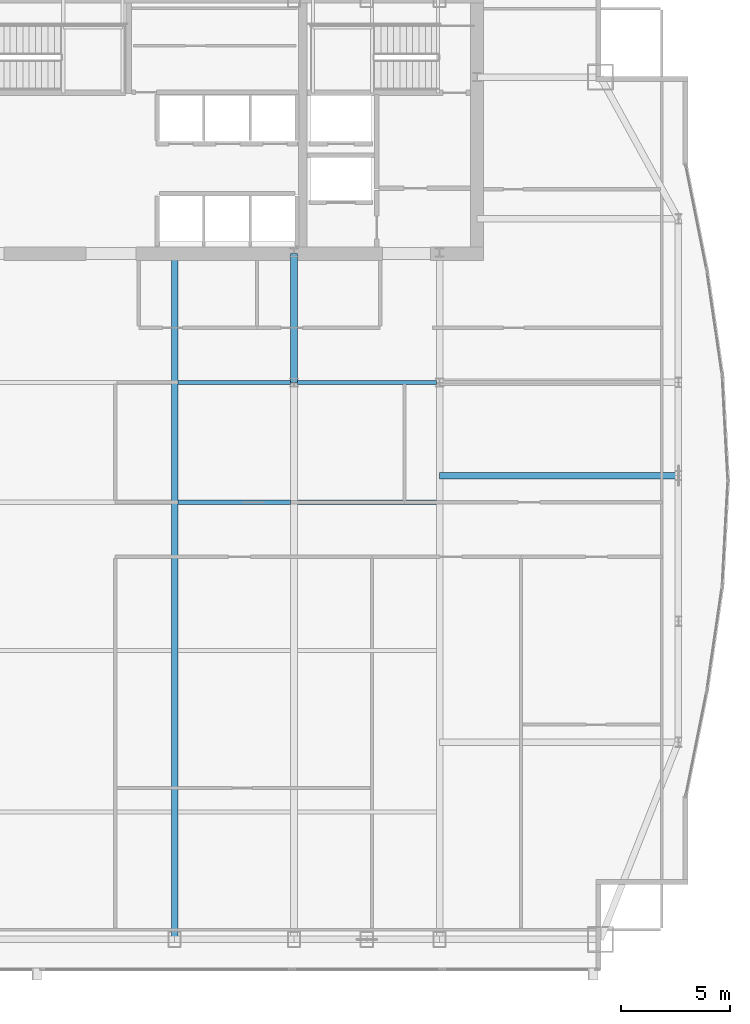
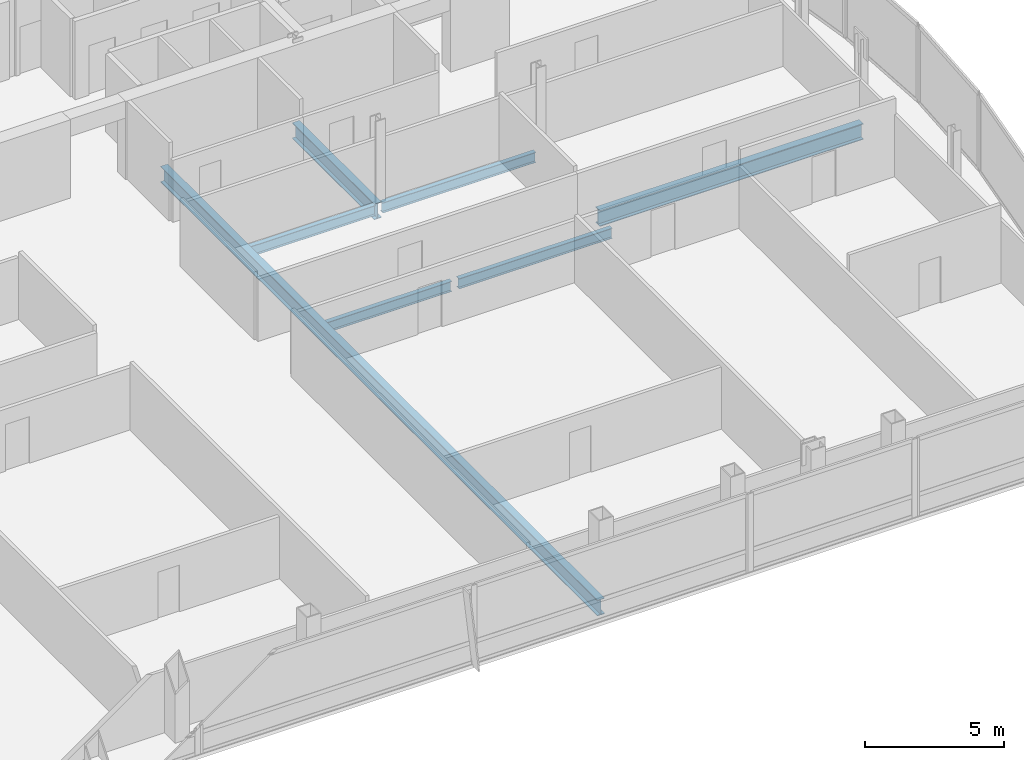
# One storey, part 17 of 30: 7 beams.
"""IFC4 building model written with IfcOpenShell, lengths in metres."""

import ifcopenshell
import ifcopenshell.guid

model = None  # the IFC model being written
_history = None  # IfcOwnerHistory: only IFC2X3 demands one
_inside = {}  # id of a spatial element -> (the spatial element, [elements in it])
_under = {}  # id of a project, library or spatial element -> (it, [spatial elements below it])
_declared = {}  # id of a project -> (the project, [libraries it declares])
_typed = {}  # id of a type object -> (the type object, [elements of that type])
_made_of = {}  # id of a material, layer set ... -> (it, [elements and type objects made of it])


def new_model(schema):
    """Start an empty IFC model of exactly this schema.

    Asked for "IFC4X3", IfcOpenShell would pick the latest addendum, in which some entities
    have other attributes; the version numbers below select the first issue.
    IFC2X3 requires an IfcOwnerHistory on every rooted entity: one is made here for all.
    """
    global model, _history
    if schema == "IFC4X3":
        model = ifcopenshell.file(schema_version=(4, 3, 0, 0))
    else:
        model = ifcopenshell.file(schema=schema)
    _inside.clear()
    _under.clear()
    _declared.clear()
    _typed.clear()
    _made_of.clear()
    _history = None
    if model.schema == "IFC2X3":
        org = make("IfcOrganization", Name="unknown")
        user = make(
            "IfcPersonAndOrganization",
            ThePerson=make("IfcPerson", FamilyName="unknown"),
            TheOrganization=org,
        )
        app = make(
            "IfcApplication",
            ApplicationDeveloper=org,
            Version="unknown",
            ApplicationFullName="unknown",
            ApplicationIdentifier="unknown",
        )
        _history = make(
            "IfcOwnerHistory",
            OwningUser=user,
            OwningApplication=app,
            ChangeAction="ADDED",
            CreationDate=0,
        )
    return model


def make(cls, **values):
    """One entity of the class cls with the attributes given. An attribute that is None is left unset."""
    return model.create_entity(
        cls, **{name: value for name, value in values.items() if value is not None}
    )


def rooted(cls, **values):
    """An entity with a GlobalId (a new one), such as an element, a storey or a relation."""
    return make(cls, GlobalId=ifcopenshell.guid.new(), OwnerHistory=_history, **values)


def si_unit(unit_type, name, prefix=None):
    """IfcSIUnit, for example si_unit("LENGTHUNIT", "METRE", prefix="MILLI")."""
    return make("IfcSIUnit", UnitType=unit_type, Prefix=prefix, Name=name)


def assignment(units):
    """IfcUnitAssignment: the units of a project."""
    return None if units is None else make("IfcUnitAssignment", Units=units)


def point(xyz):
    """IfcCartesianPoint."""
    return None if xyz is None else make("IfcCartesianPoint", Coordinates=xyz)


def direction(xyz):
    """IfcDirection."""
    return None if xyz is None else make("IfcDirection", DirectionRatios=xyz)


def frame(location, z_axis=None, x_axis=None):
    """IfcAxis2Placement3D, a coordinate frame: its origin and axes. An axis left out is left unset."""
    return make(
        "IfcAxis2Placement3D",
        Location=point(location),
        Axis=direction(z_axis),
        RefDirection=direction(x_axis),
    )


def frame_2d(location, x_axis=None):
    """IfcAxis2Placement2D, a coordinate frame in the plane: its origin and x axis."""
    return make(
        "IfcAxis2Placement2D", Location=point(location), RefDirection=direction(x_axis)
    )


def origin():
    """The frame at (0, 0, 0) with its axes left unset."""
    return frame((0.0, 0.0, 0.0))


def origin_2d():
    """The frame at (0, 0) in the plane with its x axis left unset."""
    return frame_2d((0.0, 0.0))


def place(relative_to, where):
    """IfcLocalPlacement: puts the frame where relative to a parent placement (None: the world)."""
    return make(
        "IfcLocalPlacement", PlacementRelTo=relative_to, RelativePlacement=where
    )


def context(
    kind, dimensions, precision=None, world=None, true_north=None, identifier=None
):
    """IfcGeometricRepresentationContext, for example the 3D "Model" context."""
    return make(
        "IfcGeometricRepresentationContext",
        ContextIdentifier=identifier,
        ContextType=kind,
        CoordinateSpaceDimension=dimensions,
        Precision=precision,
        WorldCoordinateSystem=world,
        TrueNorth=true_north,
    )


def subcontext(parent, identifier, kind, view, scale=None):
    """IfcGeometricRepresentationSubContext, for example "Body" below "Model"."""
    return make(
        "IfcGeometricRepresentationSubContext",
        ContextIdentifier=identifier,
        ContextType=kind,
        ParentContext=parent,
        TargetScale=scale,
        TargetView=view,
    )


def project(units=None, contexts=None):
    """IfcProject with its units and contexts."""
    return rooted(
        "IfcProject",
        Name="project",
        RepresentationContexts=contexts,
        UnitsInContext=assignment(units),
    )


def spatial(cls, under=None, at=None, **own):
    """A site, building, storey or space (cls), placed at a placement, below another one or the project."""
    s = rooted(cls, ObjectPlacement=at, **own)
    if under is not None:
        _under.setdefault(under.id(), (under, []))[1].append(s)
    return s


def profile(cls, at=None, kind="AREA", **sizes):
    """A parametric profile (cls). Its sizes go by their IFC names, for example OverallWidth=200.0."""
    return make(cls, ProfileType=kind, Position=at, **sizes)


def i_section(**sizes):
    """IfcIShapeProfileDef."""
    return profile("IfcIShapeProfileDef", **sizes)


def extrude(swept, where, along, depth):
    """IfcExtrudedAreaSolid: the profile swept, set in the frame where, extruded along a direction by depth."""
    return make(
        "IfcExtrudedAreaSolid",
        SweptArea=swept,
        Position=where,
        ExtrudedDirection=direction(along),
        Depth=depth,
    )


def shape(context_of_items, identifier, shape_type, items):
    """IfcShapeRepresentation: the items that make up one representation, for example the "Body"."""
    return make(
        "IfcShapeRepresentation",
        ContextOfItems=context_of_items,
        RepresentationIdentifier=identifier,
        RepresentationType=shape_type,
        Items=items,
    )


def material(Name=None, Category=None):
    """IfcMaterial."""
    return make("IfcMaterial", Name=Name, Category=Category)


def material_profile(
    of_material, cross_section, Name=None, Category=None, Priority=None
):
    """IfcMaterialProfile: a cross section and its material."""
    return make(
        "IfcMaterialProfile",
        Name=Name,
        Material=of_material,
        Profile=cross_section,
        Priority=Priority,
        Category=Category,
    )


def profile_set(profiles, Name=None, composite=None):
    """IfcMaterialProfileSet."""
    return make(
        "IfcMaterialProfileSet",
        Name=Name,
        MaterialProfiles=profiles,
        CompositeProfile=composite,
    )


def made_of(thing, what):
    """Note that an element or type object is made of a material, layer set ...; save() writes the relation."""
    if what is not None:
        _made_of.setdefault(what.id(), (what, []))[1].append(thing)
    return thing


def type_object(cls, material=None, **own):
    """A type object (cls), such as IfcWallType, which elements share."""
    return made_of(rooted(cls, **own), material)


def element(
    cls,
    number,
    at=None,
    inside=None,
    cuts=None,
    type_object=None,
    material=None,
    context=None,
    identifier="Body",
    shape_type=None,
    held_by="IfcProductDefinitionShape",
    body=None,
    shapes=None,
    **own,
):
    """One element of the class cls, such as IfcWall. Its Tag is "e" and its number.

    at: its placement. inside: the storey or other place that contains it. cuts: it is an
    opening in that element (IfcRelVoidsElement). A single representation is given by context,
    identifier, shape_type and body (its items); several are given by shapes. held_by: the class
    of the entity that holds the representations. save() writes the other relations.
    """
    e = rooted(cls, Tag="e%d" % number, ObjectPlacement=at, **own)
    if body is not None:
        shapes = [shape(context, identifier, shape_type, body)]
    if shapes is not None:
        e.Representation = make(held_by, Representations=shapes)
    if inside is not None:
        _inside.setdefault(inside.id(), (inside, []))[1].append(e)
    if cuts is not None:
        rooted(
            "IfcRelVoidsElement", RelatingBuildingElement=cuts, RelatedOpeningElement=e
        )
    if type_object is not None:
        _typed.setdefault(type_object.id(), (type_object, []))[1].append(e)
    return made_of(e, material)


def aggregate(whole, parts):
    """IfcRelAggregates: a whole, such as a stair, and the parts it consists of."""
    return rooted("IfcRelAggregates", RelatingObject=whole, RelatedObjects=parts)


def save(model, path):
    """Write the relations noted so far, then the file.

    IfcRelAggregates (storeys below a building ...), IfcRelContainedInSpatialStructure (elements
    in a storey), IfcRelDefinesByType, IfcRelAssociatesMaterial and IfcRelDeclares: one each for
    every whole, place, type object, material and project.
    """
    for whole, parts in _under.values():
        aggregate(whole, parts)
    for where, things in _inside.values():
        rooted(
            "IfcRelContainedInSpatialStructure",
            RelatedElements=things,
            RelatingStructure=where,
        )
    for kind, things in _typed.values():
        rooted("IfcRelDefinesByType", RelatedObjects=things, RelatingType=kind)
    for what, things in _made_of.values():
        rooted("IfcRelAssociatesMaterial", RelatedObjects=things, RelatingMaterial=what)
    for by, libraries in _declared.values():
        rooted("IfcRelDeclares", RelatingContext=by, RelatedDefinitions=libraries)
    model.write(path)


model = new_model("IFC4")

# Units and contexts
model_context = context("Model", 3, precision=1e-05, world=origin(), true_north=direction((0.0, 1.0)))
body_context = subcontext(model_context, "Body", "Model", "MODEL_VIEW")
ifc_project = project(units=[si_unit("LENGTHUNIT", "METRE"), si_unit("AREAUNIT", "SQUARE_METRE"), si_unit("VOLUMEUNIT", "CUBIC_METRE"), si_unit("PLANEANGLEUNIT", "RADIAN"), si_unit("MASSUNIT", "GRAM", prefix="KILO")], contexts=[model_context])

# Site, building, storey
site_placement = place(None, origin())
site = spatial("IfcSite", under=ifc_project, at=site_placement, CompositionType="ELEMENT")
building_placement = place(site_placement, origin())
building = spatial("IfcBuilding", under=site, at=building_placement, Name="Khoronbel Lancet Exchange", CompositionType="ELEMENT")
storey_placement = place(building_placement, frame((0.0, 0.0, 206.60009765625)))
storey = spatial("IfcBuildingStorey", under=building, at=storey_placement, Name="L52", CompositionType="ELEMENT", Elevation=206.60009765625)

# Beams
ifc_material = material(Name="Steel S355", Category="steel")
ifc_material_profile_1 = material_profile(ifc_material, i_section(OverallWidth=0.300048828125, OverallDepth=0.699951171875, WebThickness=0.01708984375, FlangeThickness=0.031982421875, at=origin_2d()), Name="HEB 700")
ifc_profile_set_1 = profile_set([ifc_material_profile_1], Name="Steel S355")
beam_type_1 = type_object("IfcBeamType", Name="BM-BG3", PredefinedType="BEAM", material=ifc_profile_set_1)
beam_1_placement = place(storey_placement, frame((42.52490234375, 10.14990234375, -0.510009765625), z_axis=(0.0, 1.0, 0.0), x_axis=(-1.0, 0.0, 0.0)))
element("IfcBeam", 1, at=beam_1_placement, inside=storey, type_object=beam_type_1, Name="Level L52 primary floor girder G4", PredefinedType="BEAM", context=body_context, shape_type="SweptSolid", body=[
    extrude(i_section(OverallWidth=0.300048828125, OverallDepth=0.699951171875, WebThickness=0.01708984375, FlangeThickness=0.031982421875, at=origin_2d()), origin(), (0.0, 0.0, 1.0), 31.4501953125),
])
beam_2_placement = place(storey_placement, frame((48.0, 35.699951171875, -0.510009765625), z_axis=(0.0, 1.0, 0.0), x_axis=(-1.0, 0.0, 0.0)))
element("IfcBeam", 2, at=beam_2_placement, inside=storey, type_object=beam_type_1, Name="Level L52 spine tie girder GN5", PredefinedType="BEAM", context=body_context, shape_type="SweptSolid", body=[
    extrude(i_section(OverallWidth=0.300048828125, OverallDepth=0.699951171875, WebThickness=0.01708984375, FlangeThickness=0.031982421875, at=origin_2d()), origin(), (0.0, 0.0, 1.0), 5.900146484375),
])
beam_3_placement = place(storey_placement, frame((54.675048828125, 31.425048828125, -0.510009765625), z_axis=(1.0, 0.0, 0.0), x_axis=(0.0, 1.0, 0.0)))
element("IfcBeam", 3, at=beam_3_placement, inside=storey, type_object=beam_type_1, Name="Level L52 east lens tie girder LG2E", PredefinedType="BEAM", context=body_context, shape_type="SweptSolid", body=[
    extrude(i_section(OverallWidth=0.300048828125, OverallDepth=0.699951171875, WebThickness=0.01708984375, FlangeThickness=0.031982421875, at=origin_2d()), origin(), (0.0, 0.0, 1.0), 10.954833984375),
])
ifc_material_profile_2 = material_profile(ifc_material, i_section(OverallWidth=0.18994140625, OverallDepth=0.449951171875, WebThickness=0.009521484375, FlangeThickness=0.0146484375, at=origin_2d()), Name="IPE 450")
ifc_profile_set_2 = profile_set([ifc_material_profile_2], Name="Steel S355")
beam_type_2 = type_object("IfcBeamType", Name="BM-BJ4", PredefinedType="JOIST", material=ifc_profile_set_2)
beam_4_placement = place(storey_placement, frame((42.675048828125, 30.199951171875, -0.385009765625), z_axis=(1.0, 0.0, 0.0), x_axis=(0.0, 1.0, 0.0)))
element("IfcBeam", 4, at=beam_4_placement, inside=storey, type_object=beam_type_2, Name="Level L52 secondary composite joist J14", PredefinedType="JOIST", context=body_context, shape_type="SweptSolid", body=[
    extrude(i_section(OverallWidth=0.18994140625, OverallDepth=0.449951171875, WebThickness=0.009521484375, FlangeThickness=0.0146484375, at=origin_2d()), origin(), (0.0, 0.0, 1.0), 5.175048828125),
])
beam_5_placement = place(storey_placement, frame((48.14990234375, 30.199951171875, -0.385009765625), z_axis=(1.0, 0.0, 0.0), x_axis=(0.0, 1.0, 0.0)))
element("IfcBeam", 5, at=beam_5_placement, inside=storey, type_object=beam_type_2, Name="Level L52 secondary composite joist J15", PredefinedType="JOIST", context=body_context, shape_type="SweptSolid", body=[
    extrude(i_section(OverallWidth=0.18994140625, OverallDepth=0.449951171875, WebThickness=0.009521484375, FlangeThickness=0.0146484375, at=origin_2d()), origin(), (0.0, 0.0, 1.0), 6.375),
])
beam_6_placement = place(storey_placement, frame((42.675048828125, 35.699951171875, -0.385009765625), z_axis=(1.0, 0.0, 0.0), x_axis=(0.0, 1.0, 0.0)))
element("IfcBeam", 6, at=beam_6_placement, inside=storey, type_object=beam_type_2, Name="Level L52 secondary composite joist J19", PredefinedType="JOIST", context=body_context, shape_type="SweptSolid", body=[
    extrude(i_section(OverallWidth=0.18994140625, OverallDepth=0.449951171875, WebThickness=0.009521484375, FlangeThickness=0.0146484375, at=origin_2d()), origin(), (0.0, 0.0, 1.0), 5.175048828125),
])
beam_7_placement = place(storey_placement, frame((48.14990234375, 35.699951171875, -0.385009765625), z_axis=(1.0, 0.0, 0.0), x_axis=(0.0, 1.0, 0.0)))
element("IfcBeam", 7, at=beam_7_placement, inside=storey, type_object=beam_type_2, Name="Level L52 secondary composite joist J20", PredefinedType="JOIST", context=body_context, shape_type="SweptSolid", body=[
    extrude(i_section(OverallWidth=0.18994140625, OverallDepth=0.449951171875, WebThickness=0.009521484375, FlangeThickness=0.0146484375, at=origin_2d()), origin(), (0.0, 0.0, 1.0), 6.375),
])

save(model, "model.ifc")
